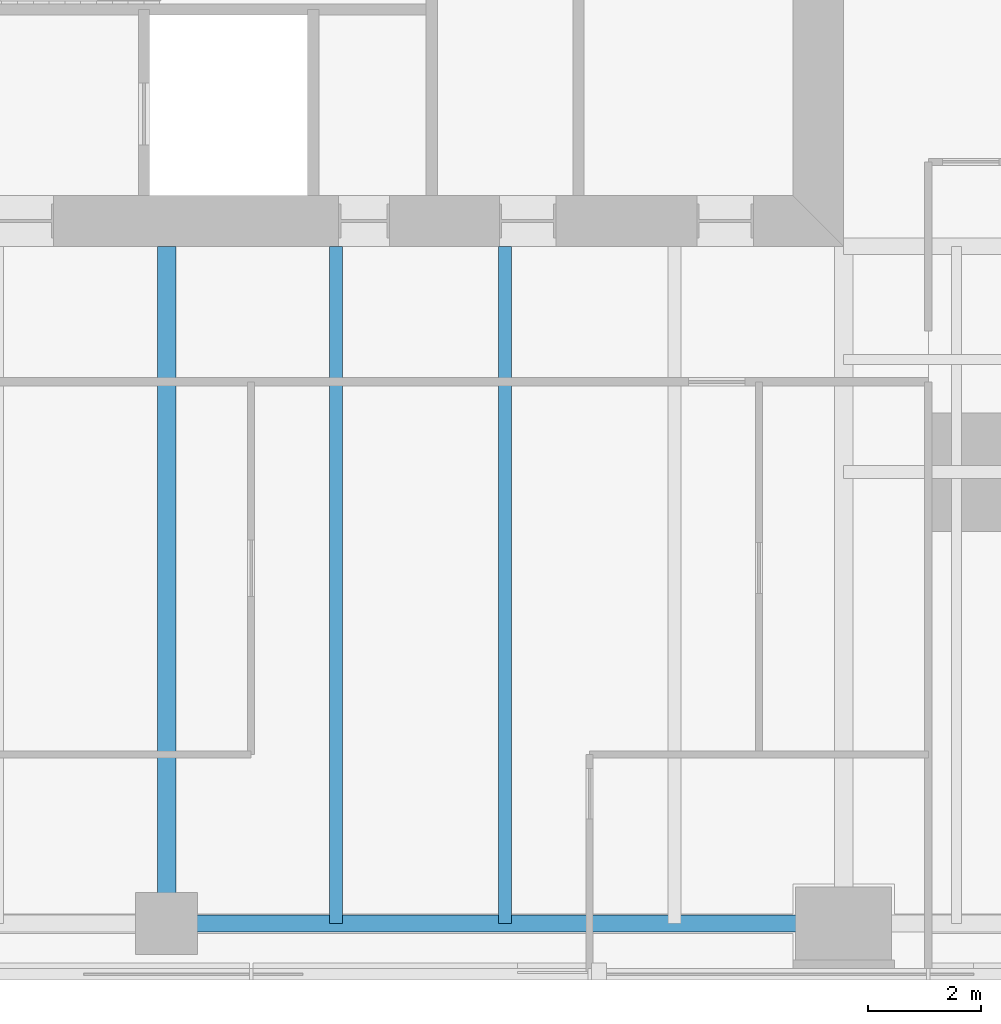
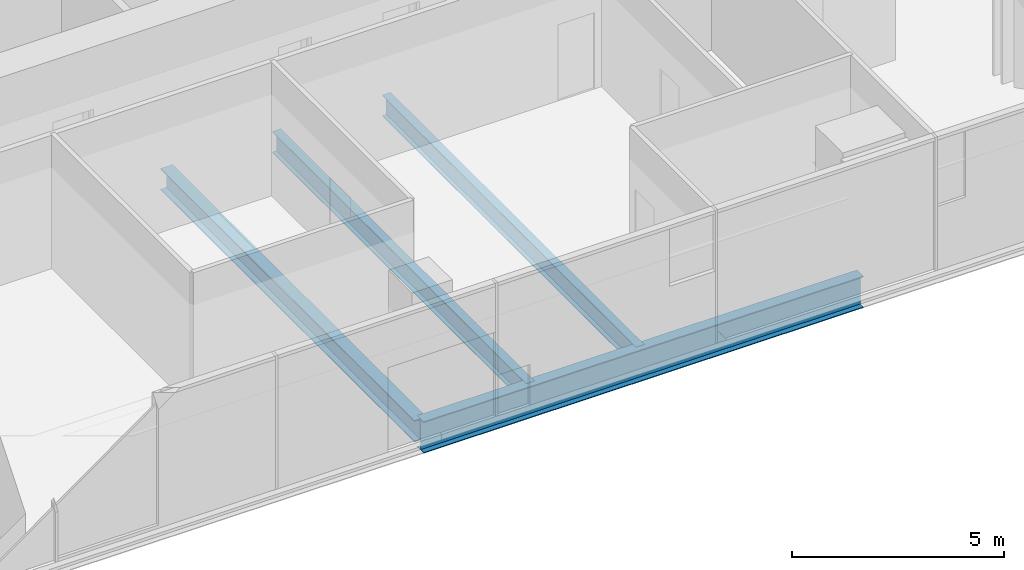
# One storey, part 3 of 15: 4 beams.
"""IFC4 building model written with IfcOpenShell, lengths in metres."""

from ifc_helpers import new_model, si_unit, direction, frame, origin, origin_2d, place, context, subcontext, project, spatial, i_section, extrude, material, material_profile, profile_set, type_object, element, save


model = new_model("IFC4")

# Units and contexts
model_context = context("Model", 3, precision=1e-05, world=origin(), true_north=direction((0.0, 1.0)))
body_context = subcontext(model_context, "Body", "Model", "MODEL_VIEW")
ifc_project = project(units=[si_unit("LENGTHUNIT", "METRE"), si_unit("AREAUNIT", "SQUARE_METRE"), si_unit("VOLUMEUNIT", "CUBIC_METRE"), si_unit("PLANEANGLEUNIT", "RADIAN"), si_unit("MASSUNIT", "GRAM", prefix="KILO")], contexts=[model_context])

# Site, building, storey
site_placement = place(None, origin())
site = spatial("IfcSite", under=ifc_project, at=site_placement, CompositionType="ELEMENT")
building_placement = place(site_placement, origin())
building = spatial("IfcBuilding", under=site, at=building_placement, Name="Fenwick Lantern Interchange", CompositionType="ELEMENT")
storey_placement = place(building_placement, frame((0.0, 0.0, 209.800048828125)))
storey = spatial("IfcBuildingStorey", under=building, at=storey_placement, Name="L49", CompositionType="ELEMENT", Elevation=209.800048828125)

# Beams
ifc_material = material(Name="Steel ASTM A992 Grade 50", Category="steel")
ifc_material_profile_1 = material_profile(ifc_material, i_section(OverallWidth=0.3046875, OverallDepth=0.911865234375, WebThickness=0.015869140625, FlangeThickness=0.02392578125, at=origin_2d()), Name="W36X150")
ifc_profile_set_1 = profile_set([ifc_material_profile_1], Name="Steel ASTM A992 Grade 50")
beam_type_1 = type_object("IfcBeamType", Name="EDGE BEAM W36X150", PredefinedType="SPANDREL", material=ifc_profile_set_1)
beam_1_placement = place(storey_placement, frame((25.0, 1.0, -0.60595703125), z_axis=(1.0, 0.0, 0.0), x_axis=(0.0, 1.0, 0.0)))
element("IfcBeam", 1, at=beam_1_placement, inside=storey, type_object=beam_type_1, Name="L49/FR/S/EB3", PredefinedType="SPANDREL", context=body_context, shape_type="SweptSolid", body=[
    extrude(i_section(OverallWidth=0.3046875, OverallDepth=0.911865234375, WebThickness=0.015869140625, FlangeThickness=0.02392578125, at=origin_2d()), origin(), (0.0, 0.0, 1.0), 12.0),
])
ifc_material_profile_2 = material_profile(ifc_material, i_section(OverallWidth=0.22900390625, OverallDepth=0.612060546875, WebThickness=0.011962890625, FlangeThickness=0.01953125, at=origin_2d()), Name="W24X84")
ifc_profile_set_2 = profile_set([ifc_material_profile_2], Name="Steel ASTM A992 Grade 50")
beam_type_2 = type_object("IfcBeamType", Name="FLOOR BEAM W24X84", PredefinedType="BEAM", material=ifc_profile_set_2)
for number, where, z_axis, x_axis, name in (
    (2, (28.0, 1.0, -0.4560546875), (0.0, 1.0, 0.0), (-1.0, 0.0, 0.0), "L49/FR/S/R06"),
    (3, (31.0, 1.0, -0.4560546875), (0.0, 1.0, 0.0), (-1.0, 0.0, 0.0), "L49/FR/S/R07"),
):
    element("IfcBeam", number, at=place(storey_placement, frame(where, z_axis=z_axis, x_axis=x_axis)), inside=storey, type_object=beam_type_2, Name=name, PredefinedType="BEAM", context=body_context, shape_type="SweptSolid", body=[
        extrude(i_section(OverallWidth=0.22900390625, OverallDepth=0.612060546875, WebThickness=0.011962890625, FlangeThickness=0.01953125, at=origin_2d()), origin(), (0.0, 0.0, 1.0), 12.0),
    ])
ifc_material_profile_3 = material_profile(ifc_material, i_section(OverallWidth=0.32763671875, OverallDepth=0.622314453125, WebThickness=0.015380859375, FlangeThickness=0.0244140625, at=origin_2d()), Name="W24X131")
ifc_profile_set_3 = profile_set([ifc_material_profile_3], Name="Steel ASTM A992 Grade 50")
beam_type_3 = type_object("IfcBeamType", Name="MOMENT-CONNECTED GIRDER W24X131", PredefinedType="BEAM", material=ifc_profile_set_3)
beam_2_placement = place(storey_placement, frame((25.0, 1.0, -0.461181640625), z_axis=(0.0, 1.0, 0.0), x_axis=(-1.0, 0.0, 0.0)))
element("IfcBeam", 4, at=beam_2_placement, inside=storey, type_object=beam_type_3, Name="L49/FR/S/R05", PredefinedType="BEAM", context=body_context, shape_type="SweptSolid", body=[
    extrude(i_section(OverallWidth=0.32763671875, OverallDepth=0.622314453125, WebThickness=0.015380859375, FlangeThickness=0.0244140625, at=origin_2d()), origin(), (0.0, 0.0, 1.0), 12.0),
])

save(model, "model.ifc")
